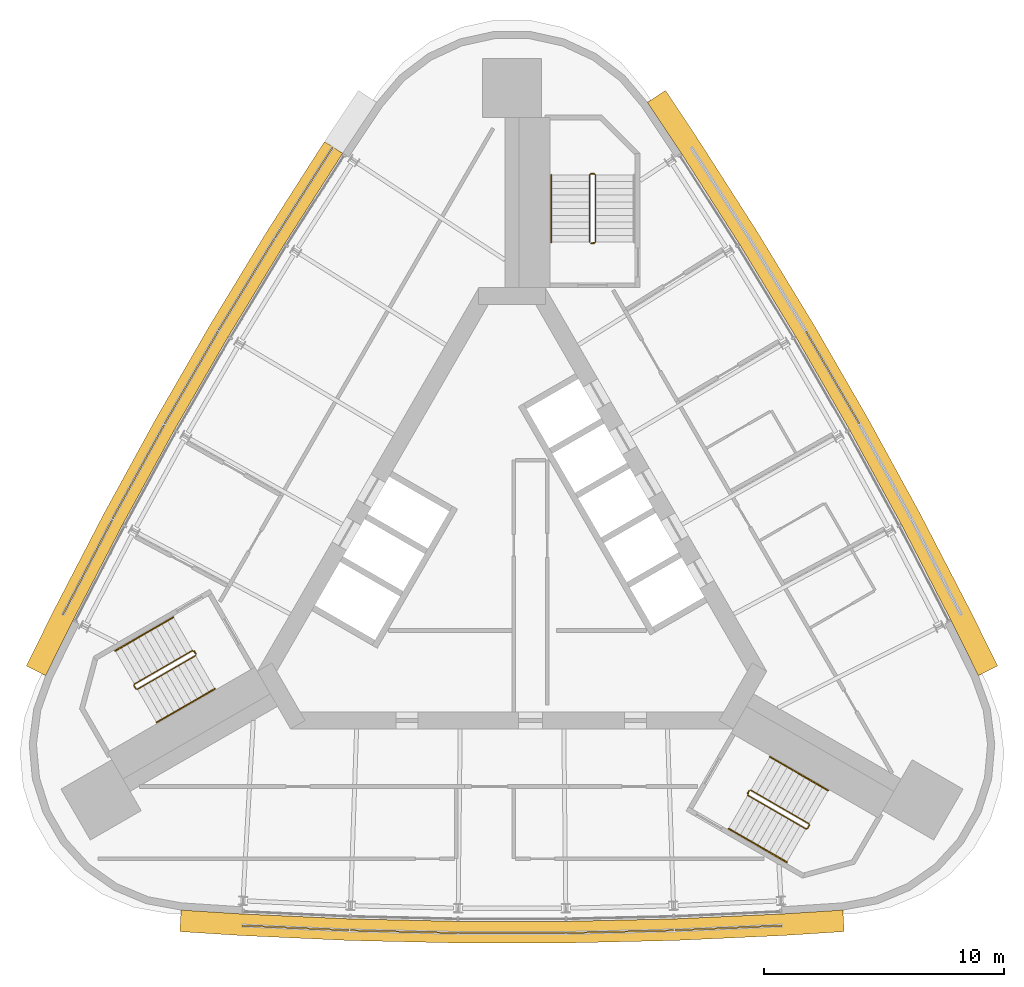
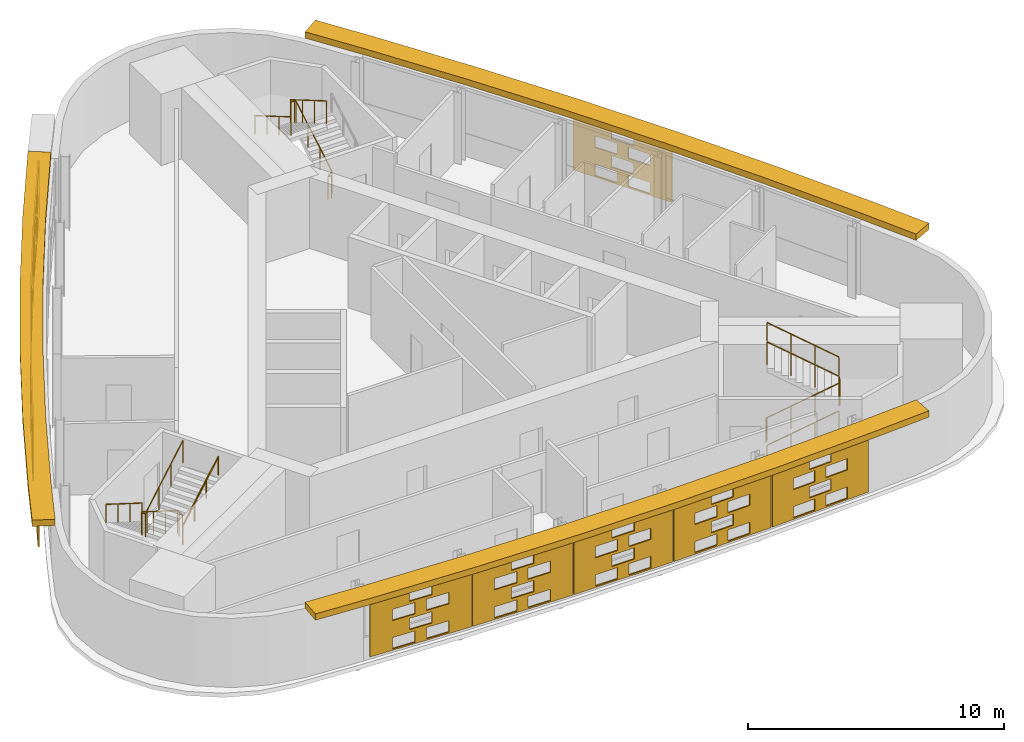
# One storey, part 9 of 10: 14 shading devices, 8 railings.
"""IFC4 building model written with IfcOpenShell, lengths in metres."""

from ifc_helpers import new_model, si_unit, direction, frame, origin, origin_2d, place, context, subcontext, project, spatial, polyline, circle, outline, extrude, material, material_profile, profile_set, type_object, element, save


model = new_model("IFC4")

# Units and contexts
model_context = context("Model", 3, precision=1e-05, world=origin(), true_north=direction((0.0, 1.0)))
body_context = subcontext(model_context, "Body", "Model", "MODEL_VIEW")
ifc_project = project(units=[si_unit("LENGTHUNIT", "METRE"), si_unit("AREAUNIT", "SQUARE_METRE"), si_unit("VOLUMEUNIT", "CUBIC_METRE"), si_unit("PLANEANGLEUNIT", "RADIAN"), si_unit("MASSUNIT", "GRAM", prefix="KILO")], contexts=[model_context])

# Site, building, storey
site_placement = place(None, origin())
site = spatial("IfcSite", under=ifc_project, at=site_placement, CompositionType="ELEMENT")
building_placement = place(site_placement, origin())
building = spatial("IfcBuilding", under=site, at=building_placement, Name="Noor Cloister Tower", CompositionType="ELEMENT")
storey_placement = place(building_placement, frame((0.0, 0.0, 240.0)))
storey = spatial("IfcBuildingStorey", under=building, at=storey_placement, Name="L62", CompositionType="ELEMENT", Elevation=240.0)

# Shading devices
ifc_material_1 = material(Name="Limestone", Category="masonry")
ifc_material_profile = material_profile(ifc_material_1, outline(polyline([(-2.22998046875, -1.35009765625), (2.22998046875, -1.35009765625), (2.22998046875, 1.35009765625), (-2.22998046875, 1.35009765625), (-2.22998046875, -1.35009765625)]), holes=[polyline([(-1.25, -1.282470703125), (-0.25, -1.282470703125), (-0.25, -0.742431640625), (-1.25, -0.742431640625), (-1.25, -1.282470703125)]), polyline([(0.25, -1.282470703125), (1.25, -1.282470703125), (1.25, -0.742431640625), (0.25, -0.742431640625), (0.25, -1.282470703125)]), polyline([(-0.5, -0.607421875), (0.5, -0.607421875), (0.5, -0.0673828125), (-0.5, -0.0673828125), (-0.5, -0.607421875)]), polyline([(-1.25, 0.0673828125), (-0.25, 0.0673828125), (-0.25, 0.607421875), (-1.25, 0.607421875), (-1.25, 0.0673828125)]), polyline([(0.25, 0.0673828125), (1.25, 0.0673828125), (1.25, 0.607421875), (0.25, 0.607421875), (0.25, 0.0673828125)]), polyline([(-0.5, 0.742431640625), (0.5, 0.742431640625), (0.5, 1.282470703125), (-0.5, 1.282470703125), (-0.5, 0.742431640625)])]), Name="Woven screen 35 percent open")
ifc_profile_set = profile_set([ifc_material_profile], Name="Limestone")
shading_device_type_1 = type_object("IfcShadingDeviceType", Name="SCREEN woven limestone 35 percent open", PredefinedType="USERDEFINED", material=ifc_profile_set)
for number, where, z_axis, x_axis, name in (
    (1, (-8.649169921875, 15.405517578125, 1.85009765625), (-0.8431579539, 0.537665941617, 0.0), (-0.537665941617, -0.8431579539, 0.0), "SCREEN L62 1"),
    (2, (-11.037109375, 11.57958984375, 1.85009765625), (-0.853884327381, 0.520462828118, 0.0), (-0.520462828118, -0.853884327381, 0.0), "SCREEN L62 2"),
    (3, (-13.336669921875, 7.699951171875, 1.85009765625), (-0.865982457891, 0.500074377092, 0.0), (-0.500074377092, -0.865982457891, 0.0), "SCREEN L62 3"),
):
    element("IfcShadingDevice", number, at=place(storey_placement, frame(where, z_axis=z_axis, x_axis=x_axis)), inside=storey, type_object=shading_device_type_1, Name=name, ObjectType="SCREEN", PredefinedType="USERDEFINED", context=body_context, shape_type="SweptSolid", body=[
        extrude(outline(polyline([(-2.22998046875, -1.35009765625), (2.22998046875, -1.35009765625), (2.22998046875, 1.35009765625), (-2.22998046875, 1.35009765625), (-2.22998046875, -1.35009765625)]), holes=[polyline([(-1.25, -1.282470703125), (-0.25, -1.282470703125), (-0.25, -0.742431640625), (-1.25, -0.742431640625), (-1.25, -1.282470703125)]), polyline([(0.25, -1.282470703125), (1.25, -1.282470703125), (1.25, -0.742431640625), (0.25, -0.742431640625), (0.25, -1.282470703125)]), polyline([(-0.5, -0.607421875), (0.5, -0.607421875), (0.5, -0.0673828125), (-0.5, -0.0673828125), (-0.5, -0.607421875)]), polyline([(-1.25, 0.0673828125), (-0.25, 0.0673828125), (-0.25, 0.607421875), (-1.25, 0.607421875), (-1.25, 0.0673828125)]), polyline([(0.25, 0.0673828125), (1.25, 0.0673828125), (1.25, 0.607421875), (0.25, 0.607421875), (0.25, 0.0673828125)]), polyline([(-0.5, 0.742431640625), (0.5, 0.742431640625), (0.5, 1.282470703125), (-0.5, 1.282470703125), (-0.5, 0.742431640625)])]), origin(), (0.0, 0.0, 1.0), 0.06005859375),
    ])
shading_device_1_placement = place(storey_placement, frame((-15.546875, 3.768798828125, 1.85009765625), z_axis=(-0.876645997325, 0.481135942718, 0.0), x_axis=(-0.481135942718, -0.876645997325, 0.0)))
element("IfcShadingDevice", 4, at=shading_device_1_placement, inside=storey, type_object=shading_device_type_1, Name="SCREEN L62 4", ObjectType="SCREEN", PredefinedType="USERDEFINED", context=body_context, shape_type="SweptSolid", body=[
    extrude(outline(polyline([(-2.22998046875, -1.35009765625), (2.22998046875, -1.35009765625), (2.22998046875, 1.35009765625), (-2.22998046875, 1.35009765625), (-2.22998046875, -1.35009765625)]), holes=[polyline([(-1.25, -1.282470703125), (-0.25, -1.282470703125), (-0.25, -0.742431640625), (-1.25, -0.742431640625), (-1.25, -1.282470703125)]), polyline([(0.25, -1.282470703125), (1.25, -1.282470703125), (1.25, -0.742431640625), (0.25, -0.742431640625), (0.25, -1.282470703125)]), polyline([(-0.5, -0.607421875), (0.5, -0.607421875), (0.5, -0.0673828125), (-0.5, -0.0673828125), (-0.5, -0.607421875)]), polyline([(-1.25, 0.0673828125), (-0.25, 0.0673828125), (-0.25, 0.607421875), (-1.25, 0.607421875), (-1.25, 0.0673828125)]), polyline([(0.25, 0.0673828125), (1.25, 0.0673828125), (1.25, 0.607421875), (0.25, 0.607421875), (0.25, 0.0673828125)]), polyline([(-0.5, 0.742431640625), (0.5, 0.742431640625), (0.5, 1.282470703125), (-0.5, 1.282470703125), (-0.5, 0.742431640625)])]), origin(), (0.0, 0.0, 1.0), 0.059814453125),
])
for number, where, z_axis, x_axis, name in (
    (5, (-17.666259765625, -0.212158203125, 1.85009765625), (-0.887816162103, 0.460198285861, 0.0), (-0.460198285861, -0.887816162103, 0.0), "SCREEN L62 5"),
    (6, (-9.016845703125, -15.193115234375, 1.85009765625), (-0.044670810456, -0.999001761106, 0.0), (0.999001761106, -0.044670810456, 0.0), "SCREEN L62 1"),
):
    element("IfcShadingDevice", number, at=place(storey_placement, frame(where, z_axis=z_axis, x_axis=x_axis)), inside=storey, type_object=shading_device_type_1, Name=name, ObjectType="SCREEN", PredefinedType="USERDEFINED", context=body_context, shape_type="SweptSolid", body=[
        extrude(outline(polyline([(-2.22998046875, -1.35009765625), (2.22998046875, -1.35009765625), (2.22998046875, 1.35009765625), (-2.22998046875, 1.35009765625), (-2.22998046875, -1.35009765625)]), holes=[polyline([(-1.25, -1.282470703125), (-0.25, -1.282470703125), (-0.25, -0.742431640625), (-1.25, -0.742431640625), (-1.25, -1.282470703125)]), polyline([(0.25, -1.282470703125), (1.25, -1.282470703125), (1.25, -0.742431640625), (0.25, -0.742431640625), (0.25, -1.282470703125)]), polyline([(-0.5, -0.607421875), (0.5, -0.607421875), (0.5, -0.0673828125), (-0.5, -0.0673828125), (-0.5, -0.607421875)]), polyline([(-1.25, 0.0673828125), (-0.25, 0.0673828125), (-0.25, 0.607421875), (-1.25, 0.607421875), (-1.25, 0.0673828125)]), polyline([(0.25, 0.0673828125), (1.25, 0.0673828125), (1.25, 0.607421875), (0.25, 0.607421875), (0.25, 0.0673828125)]), polyline([(-0.5, 0.742431640625), (0.5, 0.742431640625), (0.5, 1.282470703125), (-0.5, 1.282470703125), (-0.5, 0.742431640625)])]), origin(), (0.0, 0.0, 1.0), 0.06005859375),
    ])
shading_device_2_placement = place(storey_placement, frame((-4.509521484375, -15.348388671875, 1.85009765625), z_axis=(-0.024482455341, -0.999700259768, 0.0), x_axis=(0.999700259768, -0.024482455341, 0.0)))
element("IfcShadingDevice", 7, at=shading_device_2_placement, inside=storey, type_object=shading_device_type_1, Name="SCREEN L62 2", ObjectType="SCREEN", PredefinedType="USERDEFINED", context=body_context, shape_type="SweptSolid", body=[
    extrude(outline(polyline([(-2.22998046875, -1.35009765625), (2.22998046875, -1.35009765625), (2.22998046875, 1.35009765625), (-2.22998046875, 1.35009765625), (-2.22998046875, -1.35009765625)]), holes=[polyline([(-1.25, -1.282470703125), (-0.25, -1.282470703125), (-0.25, -0.742431640625), (-1.25, -0.742431640625), (-1.25, -1.282470703125)]), polyline([(0.25, -1.282470703125), (1.25, -1.282470703125), (1.25, -0.742431640625), (0.25, -0.742431640625), (0.25, -1.282470703125)]), polyline([(-0.5, -0.607421875), (0.5, -0.607421875), (0.5, -0.0673828125), (-0.5, -0.0673828125), (-0.5, -0.607421875)]), polyline([(-1.25, 0.0673828125), (-0.25, 0.0673828125), (-0.25, 0.607421875), (-1.25, 0.607421875), (-1.25, 0.0673828125)]), polyline([(0.25, 0.0673828125), (1.25, 0.0673828125), (1.25, 0.607421875), (0.25, 0.607421875), (0.25, 0.0673828125)]), polyline([(-0.5, 0.742431640625), (0.5, 0.742431640625), (0.5, 1.282470703125), (-0.5, 1.282470703125), (-0.5, 0.742431640625)])]), origin(), (0.0, 0.0, 1.0), 0.059814453125),
])
shading_device_3_placement = place(storey_placement, frame((0.0, -15.39990234375, 1.85009765625), z_axis=(0.0, -1.0, 0.0), x_axis=(1.0, 0.0, 0.0)))
element("IfcShadingDevice", 8, at=shading_device_3_placement, inside=storey, type_object=shading_device_type_1, Name="SCREEN L62 3", ObjectType="SCREEN", PredefinedType="USERDEFINED", context=body_context, shape_type="SweptSolid", body=[
    extrude(outline(polyline([(-2.22998046875, -1.35009765625), (2.22998046875, -1.35009765625), (2.22998046875, 1.35009765625), (-2.22998046875, 1.35009765625), (-2.22998046875, -1.35009765625)]), holes=[polyline([(-1.25, -1.282470703125), (-0.25, -1.282470703125), (-0.25, -0.742431640625), (-1.25, -0.742431640625), (-1.25, -1.282470703125)]), polyline([(0.25, -1.282470703125), (1.25, -1.282470703125), (1.25, -0.742431640625), (0.25, -0.742431640625), (0.25, -1.282470703125)]), polyline([(-0.5, -0.607421875), (0.5, -0.607421875), (0.5, -0.0673828125), (-0.5, -0.0673828125), (-0.5, -0.607421875)]), polyline([(-1.25, 0.0673828125), (-0.25, 0.0673828125), (-0.25, 0.607421875), (-1.25, 0.607421875), (-1.25, 0.0673828125)]), polyline([(0.25, 0.0673828125), (1.25, 0.0673828125), (1.25, 0.607421875), (0.25, 0.607421875), (0.25, 0.0673828125)]), polyline([(-0.5, 0.742431640625), (0.5, 0.742431640625), (0.5, 1.282470703125), (-0.5, 1.282470703125), (-0.5, 0.742431640625)])]), origin(), (0.0, 0.0, 1.0), 0.06005859375),
])
shading_device_4_placement = place(storey_placement, frame((4.509521484375, -15.348388671875, 1.85009765625), z_axis=(0.024482455341, -0.999700259768, 0.0), x_axis=(0.999700259768, 0.024482455341, 0.0)))
element("IfcShadingDevice", 9, at=shading_device_4_placement, inside=storey, type_object=shading_device_type_1, Name="SCREEN L62 4", ObjectType="SCREEN", PredefinedType="USERDEFINED", context=body_context, shape_type="SweptSolid", body=[
    extrude(outline(polyline([(-2.22998046875, -1.35009765625), (2.22998046875, -1.35009765625), (2.22998046875, 1.35009765625), (-2.22998046875, 1.35009765625), (-2.22998046875, -1.35009765625)]), holes=[polyline([(-1.25, -1.282470703125), (-0.25, -1.282470703125), (-0.25, -0.742431640625), (-1.25, -0.742431640625), (-1.25, -1.282470703125)]), polyline([(0.25, -1.282470703125), (1.25, -1.282470703125), (1.25, -0.742431640625), (0.25, -0.742431640625), (0.25, -1.282470703125)]), polyline([(-0.5, -0.607421875), (0.5, -0.607421875), (0.5, -0.0673828125), (-0.5, -0.0673828125), (-0.5, -0.607421875)]), polyline([(-1.25, 0.0673828125), (-0.25, 0.0673828125), (-0.25, 0.607421875), (-1.25, 0.607421875), (-1.25, 0.0673828125)]), polyline([(0.25, 0.0673828125), (1.25, 0.0673828125), (1.25, 0.607421875), (0.25, 0.607421875), (0.25, 0.0673828125)]), polyline([(-0.5, 0.742431640625), (0.5, 0.742431640625), (0.5, 1.282470703125), (-0.5, 1.282470703125), (-0.5, 0.742431640625)])]), origin(), (0.0, 0.0, 1.0), 0.059814453125),
])
for number, where, z_axis, x_axis, name in (
    (10, (9.016845703125, -15.193115234375, 1.85009765625), (0.044670810456, -0.999001761106, 0.0), (0.999001761106, 0.044670810456, 0.0), "SCREEN L62 5"),
    (11, (13.336669921875, 7.699951171875, 1.85009765625), (0.865982457891, 0.500074377092, 0.0), (-0.500074377092, 0.865982457891, 0.0), "SCREEN L62 3"),
):
    element("IfcShadingDevice", number, at=place(storey_placement, frame(where, z_axis=z_axis, x_axis=x_axis)), inside=storey, type_object=shading_device_type_1, Name=name, ObjectType="SCREEN", PredefinedType="USERDEFINED", context=body_context, shape_type="SweptSolid", body=[
        extrude(outline(polyline([(-2.22998046875, -1.35009765625), (2.22998046875, -1.35009765625), (2.22998046875, 1.35009765625), (-2.22998046875, 1.35009765625), (-2.22998046875, -1.35009765625)]), holes=[polyline([(-1.25, -1.282470703125), (-0.25, -1.282470703125), (-0.25, -0.742431640625), (-1.25, -0.742431640625), (-1.25, -1.282470703125)]), polyline([(0.25, -1.282470703125), (1.25, -1.282470703125), (1.25, -0.742431640625), (0.25, -0.742431640625), (0.25, -1.282470703125)]), polyline([(-0.5, -0.607421875), (0.5, -0.607421875), (0.5, -0.0673828125), (-0.5, -0.0673828125), (-0.5, -0.607421875)]), polyline([(-1.25, 0.0673828125), (-0.25, 0.0673828125), (-0.25, 0.607421875), (-1.25, 0.607421875), (-1.25, 0.0673828125)]), polyline([(0.25, 0.0673828125), (1.25, 0.0673828125), (1.25, 0.607421875), (0.25, 0.607421875), (0.25, 0.0673828125)]), polyline([(-0.5, 0.742431640625), (0.5, 0.742431640625), (0.5, 1.282470703125), (-0.5, 1.282470703125), (-0.5, 0.742431640625)])]), origin(), (0.0, 0.0, 1.0), 0.06005859375),
    ])
ifc_material_2 = material(Name="Limestone", Category="masonry")
shading_device_type_2 = type_object("IfcShadingDeviceType", Name="SUNSHADE limestone band 900", PredefinedType="USERDEFINED", material=ifc_material_2)
shading_device_5_placement = place(storey_placement, frame((0.0, 0.0, 3.300048828125)))
element("IfcShadingDevice", 12, at=shading_device_5_placement, inside=storey, type_object=shading_device_type_2, Name="SUNSHADE L62 1", ObjectType="SUNSHADE", PredefinedType="USERDEFINED", context=body_context, shape_type="SweptSolid", body=[
    extrude(outline(polyline([(-7.815185546875, 17.54296875), (-10.246826171875, 13.744384765625), (-12.596435546875, 9.88232421875), (-14.856689453125, 5.967529296875), (-17.026611328125, 2.001953125), (-19.10400390625, -2.010498046875), (-20.2392578125, -4.30322265625), (-19.4326171875, -4.702392578125), (-18.301025390625, -2.417236328125), (-16.232177734375, 1.578857421875), (-14.072021484375, 5.5263671875), (-11.822021484375, 9.423583984375), (-9.4833984375, 13.267822265625), (-7.05712890625, 17.0576171875), (-7.815185546875, 17.54296875)])), origin(), (0.0, 0.0, 1.0), 0.300048828125),
])
shading_device_6_placement = place(storey_placement, frame((0.0, 0.0, 3.300048828125)))
element("IfcShadingDevice", 13, at=shading_device_6_placement, inside=storey, type_object=shading_device_type_2, Name="SUNSHADE L62 2", ObjectType="SUNSHADE", PredefinedType="USERDEFINED", context=body_context, shape_type="SweptSolid", body=[
    extrude(outline(polyline([(-13.84619140625, -15.376220703125), (-11.293212890625, -15.539306640625), (-6.779541015625, -15.746337890625), (-2.26025390625, -15.85009765625), (2.26025390625, -15.85009765625), (6.779541015625, -15.746337890625), (11.293212890625, -15.539306640625), (13.84619140625, -15.376220703125), (13.788818359375, -14.47802734375), (11.243896484375, -14.640625), (6.748779296875, -14.846923828125), (2.25, -14.949951171875), (-2.25, -14.949951171875), (-6.748779296875, -14.846923828125), (-11.243896484375, -14.640625), (-13.788818359375, -14.47802734375), (-13.84619140625, -15.376220703125)])), origin(), (0.0, 0.0, 1.0), 0.300048828125),
])
shading_device_7_placement = place(storey_placement, frame((0.0, 0.0, 3.300048828125)))
element("IfcShadingDevice", 14, at=shading_device_7_placement, inside=storey, type_object=shading_device_type_2, Name="SUNSHADE L62 3", ObjectType="SUNSHADE", PredefinedType="USERDEFINED", context=body_context, shape_type="SweptSolid", body=[
    extrude(outline(polyline([(20.2392578125, -4.30322265625), (19.10400390625, -2.010498046875), (17.026611328125, 2.001953125), (14.856689453125, 5.967529296875), (12.596435546875, 9.88232421875), (10.246826171875, 13.744384765625), (7.810791015625, 17.5498046875), (6.39306640625, 19.67919921875), (5.643798828125, 19.180419921875), (7.05712890625, 17.0576171875), (9.4833984375, 13.267822265625), (11.822021484375, 9.423583984375), (14.072021484375, 5.5263671875), (16.232177734375, 1.578857421875), (18.301025390625, -2.417236328125), (19.4326171875, -4.702392578125), (20.2392578125, -4.30322265625)])), origin(), (0.0, 0.0, 1.0), 0.300048828125),
])

# Railings
ifc_material_3 = material(Name="Stainless steel", Category="steel")
railing_type_1 = type_object("IfcRailingType", Name="Stair guard 1100", PredefinedType="GUARDRAIL", material=ifc_material_3)
railing_1_placement = place(storey_placement, frame((3.435546875, 13.306396484375, 0.0)))
element("IfcRailing", 15, at=railing_1_placement, inside=storey, type_object=railing_type_1, Name="Stair guard ST1 L62", PredefinedType="GUARDRAIL", context=body_context, shape_type="SweptSolid", body=[
    extrude(circle(Radius=0.02392578125, at=origin_2d()), frame((0.0, 0.0, 1.076171875), z_axis=(-1.0, 0.0, 0.0), x_axis=(0.0, -1.0, 0.0)), (0.0, 0.0, 1.0), 0.14990234375),
    extrude(circle(Radius=0.02392578125, at=origin_2d()), frame((-0.14990234375, 0.0, 1.076171875), z_axis=(0.759870394187, 0.190199549216, 0.621627795), x_axis=(-0.242814311512, 0.970072785993, 0.0)), (0.0, 0.0, 1.0), 0.26318359375),
    extrude(circle(Radius=0.02392578125, at=origin_2d()), frame((0.050048828125, 0.050048828125, 1.23974609375), z_axis=(0.0, 0.863360870873, 0.504586966384), x_axis=(-1.0, 0.0, 0.0)), (0.0, 0.0, 1.0), 3.2431640625),
    extrude(circle(Radius=0.02392578125, at=origin_2d()), frame((0.050048828125, 2.85009765625, 2.8759765625), z_axis=(-0.708833529934, 0.705375805398, 0.0), x_axis=(-0.705375805398, -0.708833529934, 0.0)), (0.0, 0.0, 1.0), 0.070556640625),
    extrude(circle(Radius=0.02392578125, at=origin_2d()), frame((0.0, 2.89990234375, 2.8759765625), z_axis=(-1.0, 0.0, 0.0), x_axis=(0.0, -1.0, 0.0)), (0.0, 0.0, 1.0), 0.14990234375),
    extrude(circle(Radius=0.02392578125, at=origin_2d()), frame((-0.14990234375, 2.89990234375, 2.8759765625), z_axis=(-0.280916556609, -0.279546231943, 0.91811752648), x_axis=(0.705375805398, -0.708833529934, 0.0)), (0.0, 0.0, 1.0), 0.17822265625),
    extrude(circle(Radius=0.02392578125, at=origin_2d()), frame((-0.199951171875, 2.85009765625, 3.03955078125), z_axis=(0.0, -0.863360870873, 0.504586966384), x_axis=(1.0, 0.0, 0.0)), (0.0, 0.0, 1.0), 3.2431640625),
    extrude(circle(Radius=0.02099609375, at=origin_2d()), origin(), (0.0, 0.0, 1.0), 1.052001953125),
    extrude(circle(Radius=0.02099609375, at=origin_2d()), frame((-0.14990234375, 0.0, 0.0)), (0.0, 0.0, 1.0), 1.052001953125),
    extrude(circle(Radius=0.02099609375, at=origin_2d()), frame((0.050048828125, 0.050048828125, 0.16357421875)), (0.0, 0.0, 1.0), 1.052001953125),
    extrude(circle(Radius=0.02099609375, at=origin_2d()), frame((0.050048828125, 0.9833984375, 0.708984375)), (0.0, 0.0, 1.0), 1.052001953125),
    extrude(circle(Radius=0.02099609375, at=origin_2d()), frame((0.050048828125, 1.916748046875, 1.254638671875)), (0.0, 0.0, 1.0), 1.052001953125),
    extrude(circle(Radius=0.02099609375, at=origin_2d()), frame((0.050048828125, 2.85009765625, 1.800048828125)), (0.0, 0.0, 1.0), 1.052001953125),
    extrude(circle(Radius=0.02099609375, at=origin_2d()), frame((0.0, 2.89990234375, 1.800048828125)), (0.0, 0.0, 1.0), 1.052001953125),
    extrude(circle(Radius=0.02099609375, at=origin_2d()), frame((-0.14990234375, 2.89990234375, 1.800048828125)), (0.0, 0.0, 1.0), 1.052001953125),
    extrude(circle(Radius=0.02099609375, at=origin_2d()), frame((-0.199951171875, 2.85009765625, 1.963623046875)), (0.0, 0.0, 1.0), 1.052001953125),
    extrude(circle(Radius=0.02099609375, at=origin_2d()), frame((-0.199951171875, 1.916748046875, 2.509033203125)), (0.0, 0.0, 1.0), 1.052001953125),
    extrude(circle(Radius=0.02099609375, at=origin_2d()), frame((-0.199951171875, 0.9833984375, 3.0546875)), (0.0, 0.0, 1.0), 1.052001953125),
    extrude(circle(Radius=0.02099609375, at=origin_2d()), frame((-0.199951171875, 0.050048828125, 3.60009765625)), (0.0, 0.0, 1.0), 1.052001953125),
])
railing_2_placement = place(storey_placement, frame((-13.241455078125, -3.677734375, 0.0)))
element("IfcRailing", 16, at=railing_2_placement, inside=storey, type_object=railing_type_1, Name="Stair guard ST2 L62", PredefinedType="GUARDRAIL", context=body_context, shape_type="SweptSolid", body=[
    extrude(circle(Radius=0.02392578125, at=origin_2d()), frame((0.0, 0.0, 1.076171875), z_axis=(0.499112439033, -0.866537231285, 0.0), x_axis=(0.866537231285, 0.499112439033, 0.0)), (0.0, 0.0, 1.0), 0.150146484375),
    extrude(circle(Radius=0.02392578125, at=origin_2d()), frame((0.074951171875, -0.130126953125, 1.076171875), z_axis=(-0.544565797804, 0.563119998752, 0.621565731736), x_axis=(-0.718850276695, -0.695164929852, 0.0)), (0.0, 0.0, 1.0), 0.26318359375),
    extrude(circle(Radius=0.02392578125, at=origin_2d()), frame((-0.068359375, 0.01806640625, 1.23974609375), z_axis=(-0.747689811644, -0.431660630283, 0.504607813879), x_axis=(0.49998411664, -0.866034573852, 0.0)), (0.0, 0.0, 1.0), 3.2431640625),
    extrude(circle(Radius=0.02392578125, at=origin_2d()), frame((-2.4931640625, -1.3818359375, 2.8759765625), z_axis=(-0.258736085224, -0.965948051503, 0.0), x_axis=(0.965948051503, -0.258736085224, 0.0)), (0.0, 0.0, 1.0), 0.07080078125),
    extrude(circle(Radius=0.02392578125, at=origin_2d()), frame((-2.511474609375, -1.4501953125, 2.8759765625), z_axis=(0.499816412211, -0.866131372301, 0.0), x_axis=(0.866131372301, 0.499816412211, 0.0)), (0.0, 0.0, 1.0), 0.14990234375),
    extrude(circle(Radius=0.02392578125, at=origin_2d()), frame((-2.4365234375, -1.580078125, 2.8759765625), z_axis=(0.383552647116, -0.102737316192, 0.917786691313), x_axis=(0.258736085224, 0.965948051503, 0.0)), (0.0, 0.0, 1.0), 0.17822265625),
    extrude(circle(Radius=0.02392578125, at=origin_2d()), frame((-2.3681640625, -1.598388671875, 3.03955078125), z_axis=(0.747665513933, 0.431721881032, 0.504591415616), x_axis=(-0.500049511043, 0.865996816683, 0.0)), (0.0, 0.0, 1.0), 3.2431640625),
    extrude(circle(Radius=0.02099609375, at=origin_2d()), origin(), (0.0, 0.0, 1.0), 1.052001953125),
    extrude(circle(Radius=0.02099609375, at=origin_2d()), frame((0.074951171875, -0.130126953125, 0.0)), (0.0, 0.0, 1.0), 1.052001953125),
    extrude(circle(Radius=0.02099609375, at=origin_2d()), frame((-0.068359375, 0.01806640625, 0.16357421875)), (0.0, 0.0, 1.0), 1.052001953125),
    extrude(circle(Radius=0.02099609375, at=origin_2d()), frame((-0.876708984375, -0.448486328125, 0.708984375)), (0.0, 0.0, 1.0), 1.052001953125),
    extrude(circle(Radius=0.02099609375, at=origin_2d()), frame((-1.684814453125, -0.915283203125, 1.254638671875)), (0.0, 0.0, 1.0), 1.052001953125),
    extrude(circle(Radius=0.02099609375, at=origin_2d()), frame((-2.4931640625, -1.3818359375, 1.800048828125)), (0.0, 0.0, 1.0), 1.052001953125),
    extrude(circle(Radius=0.02099609375, at=origin_2d()), frame((-2.511474609375, -1.4501953125, 1.800048828125)), (0.0, 0.0, 1.0), 1.052001953125),
    extrude(circle(Radius=0.02099609375, at=origin_2d()), frame((-2.4365234375, -1.580078125, 1.800048828125)), (0.0, 0.0, 1.0), 1.052001953125),
    extrude(circle(Radius=0.02099609375, at=origin_2d()), frame((-2.3681640625, -1.598388671875, 1.963623046875)), (0.0, 0.0, 1.0), 1.052001953125),
    extrude(circle(Radius=0.02099609375, at=origin_2d()), frame((-1.559814453125, -1.131591796875, 2.509033203125)), (0.0, 0.0, 1.0), 1.052001953125),
    extrude(circle(Radius=0.02099609375, at=origin_2d()), frame((-0.751708984375, -0.6650390625, 3.0546875)), (0.0, 0.0, 1.0), 1.052001953125),
    extrude(circle(Radius=0.02099609375, at=origin_2d()), frame((0.056640625, -0.1982421875, 3.60009765625)), (0.0, 0.0, 1.0), 1.052001953125),
])
railing_3_placement = place(storey_placement, frame((9.805908203125, -9.628662109375, 0.0)))
element("IfcRailing", 17, at=railing_3_placement, inside=storey, type_object=railing_type_1, Name="Stair guard ST3 L62", PredefinedType="GUARDRAIL", context=body_context, shape_type="SweptSolid", body=[
    extrude(circle(Radius=0.02392578125, at=origin_2d()), frame((0.0, 0.0, 1.076171875), z_axis=(0.499112439033, 0.866537231285, 0.0), x_axis=(-0.866537231285, 0.499112439033, 0.0)), (0.0, 0.0, 1.0), 0.150146484375),
    extrude(circle(Radius=0.02392578125, at=origin_2d()), frame((0.074951171875, 0.130126953125, 1.076171875), z_axis=(-0.215214839654, -0.753251938789, 0.621525614518), x_axis=(0.961523947641, -0.274721127897, 0.0)), (0.0, 0.0, 1.0), 0.26318359375),
    extrude(circle(Radius=0.02392578125, at=origin_2d()), frame((0.018310546875, -0.068115234375, 1.23974609375), z_axis=(0.747665513933, -0.431721881032, 0.504591415616), x_axis=(0.500049511043, 0.865996816683, 0.0)), (0.0, 0.0, 1.0), 3.2431640625),
    extrude(circle(Radius=0.02392578125, at=origin_2d()), frame((2.443115234375, -1.46826171875, 2.8759765625), z_axis=(0.965948051503, 0.258736085224, 0.0), x_axis=(-0.258736085224, 0.965948051503, 0.0)), (0.0, 0.0, 1.0), 0.07080078125),
    extrude(circle(Radius=0.02392578125, at=origin_2d()), frame((2.511474609375, -1.449951171875, 2.8759765625), z_axis=(0.499816412211, 0.866131372301, 0.0), x_axis=(-0.866131372301, 0.499816412211, 0.0)), (0.0, 0.0, 1.0), 0.14990234375),
    extrude(circle(Radius=0.02392578125, at=origin_2d()), frame((2.58642578125, -1.320068359375, 2.8759765625), z_axis=(-0.102737316192, 0.383552647116, 0.917786691313), x_axis=(-0.965948051503, -0.258736085224, 0.0)), (0.0, 0.0, 1.0), 0.17822265625),
    extrude(circle(Radius=0.02392578125, at=origin_2d()), frame((2.568115234375, -1.251708984375, 3.03955078125), z_axis=(-0.747689811644, 0.431660630283, 0.504607813879), x_axis=(-0.49998411664, -0.866034573852, 0.0)), (0.0, 0.0, 1.0), 3.2431640625),
    extrude(circle(Radius=0.02099609375, at=origin_2d()), origin(), (0.0, 0.0, 1.0), 1.052001953125),
    extrude(circle(Radius=0.02099609375, at=origin_2d()), frame((0.074951171875, 0.130126953125, 0.0)), (0.0, 0.0, 1.0), 1.052001953125),
    extrude(circle(Radius=0.02099609375, at=origin_2d()), frame((0.018310546875, -0.068115234375, 0.16357421875)), (0.0, 0.0, 1.0), 1.052001953125),
    extrude(circle(Radius=0.02099609375, at=origin_2d()), frame((0.82666015625, -0.534912109375, 0.708984375)), (0.0, 0.0, 1.0), 1.052001953125),
    extrude(circle(Radius=0.02099609375, at=origin_2d()), frame((1.634765625, -1.00146484375, 1.254638671875)), (0.0, 0.0, 1.0), 1.052001953125),
    extrude(circle(Radius=0.02099609375, at=origin_2d()), frame((2.443115234375, -1.46826171875, 1.800048828125)), (0.0, 0.0, 1.0), 1.052001953125),
    extrude(circle(Radius=0.02099609375, at=origin_2d()), frame((2.511474609375, -1.449951171875, 1.800048828125)), (0.0, 0.0, 1.0), 1.052001953125),
    extrude(circle(Radius=0.02099609375, at=origin_2d()), frame((2.58642578125, -1.320068359375, 1.800048828125)), (0.0, 0.0, 1.0), 1.052001953125),
    extrude(circle(Radius=0.02099609375, at=origin_2d()), frame((2.568115234375, -1.251708984375, 1.963623046875)), (0.0, 0.0, 1.0), 1.052001953125),
    extrude(circle(Radius=0.02099609375, at=origin_2d()), frame((1.759765625, -0.78515625, 2.509033203125)), (0.0, 0.0, 1.0), 1.052001953125),
    extrude(circle(Radius=0.02099609375, at=origin_2d()), frame((0.95166015625, -0.318359375, 3.0546875)), (0.0, 0.0, 1.0), 1.052001953125),
    extrude(circle(Radius=0.02099609375, at=origin_2d()), frame((0.143310546875, 0.148193359375, 3.60009765625)), (0.0, 0.0, 1.0), 1.052001953125),
])
ifc_material_4 = material(Name="Stainless steel", Category="steel")
railing_type_2 = type_object("IfcRailingType", Name="Stair handrail 900", PredefinedType="HANDRAIL", material=ifc_material_4)
railing_4_placement = place(storey_placement, frame((1.6357421875, 16.156494140625, 1.963623046875)))
element("IfcRailing", 18, at=railing_4_placement, inside=storey, type_object=railing_type_2, Name="Stair handrail ST1 L62 2", PredefinedType="HANDRAIL", context=body_context, shape_type="SweptSolid", body=[
    extrude(circle(Radius=0.02392578125, at=origin_2d()), frame((0.0, 0.0, 0.8759765625), z_axis=(0.0, -0.863360870873, 0.504586966384), x_axis=(1.0, 0.0, 0.0)), (0.0, 0.0, 1.0), 3.2431640625),
    extrude(circle(Radius=0.02099609375, at=origin_2d()), origin(), (0.0, 0.0, 1.0), 0.851806640625),
    extrude(circle(Radius=0.02099609375, at=origin_2d()), frame((0.0, -0.933349609375, 0.54541015625)), (0.0, 0.0, 1.0), 0.851806640625),
    extrude(circle(Radius=0.02099609375, at=origin_2d()), frame((0.0, -1.86669921875, 1.091064453125)), (0.0, 0.0, 1.0), 0.851806640625),
    extrude(circle(Radius=0.02099609375, at=origin_2d()), frame((0.0, -2.800048828125, 1.636474609375)), (0.0, 0.0, 1.0), 0.851806640625),
])
railing_5_placement = place(storey_placement, frame((-14.10986328125, -2.27392578125, 0.16357421875)))
element("IfcRailing", 19, at=railing_5_placement, inside=storey, type_object=railing_type_2, Name="Stair handrail ST2 L62 1", PredefinedType="HANDRAIL", context=body_context, shape_type="SweptSolid", body=[
    extrude(circle(Radius=0.02392578125, at=origin_2d()), frame((0.0, 0.0, 0.8759765625), z_axis=(-0.747689811644, -0.431660630283, 0.504607813879), x_axis=(0.49998411664, -0.866034573852, 0.0)), (0.0, 0.0, 1.0), 3.2431640625),
    extrude(circle(Radius=0.02099609375, at=origin_2d()), origin(), (0.0, 0.0, 1.0), 0.851806640625),
    extrude(circle(Radius=0.02099609375, at=origin_2d()), frame((-0.808349609375, -0.466552734375, 0.54541015625)), (0.0, 0.0, 1.0), 0.851806640625),
    extrude(circle(Radius=0.02099609375, at=origin_2d()), frame((-1.616455078125, -0.933349609375, 1.091064453125)), (0.0, 0.0, 1.0), 0.851806640625),
    extrude(circle(Radius=0.02099609375, at=origin_2d()), frame((-2.4248046875, -1.39990234375, 1.636474609375)), (0.0, 0.0, 1.0), 0.851806640625),
])
railing_6_placement = place(storey_placement, frame((-14.8095703125, -6.66162109375, 1.963623046875)))
element("IfcRailing", 20, at=railing_6_placement, inside=storey, type_object=railing_type_2, Name="Stair handrail ST2 L62 2", PredefinedType="HANDRAIL", context=body_context, shape_type="SweptSolid", body=[
    extrude(circle(Radius=0.02392578125, at=origin_2d()), frame((0.0, 0.0, 0.8759765625), z_axis=(0.747689811644, 0.431660630283, 0.504607813879), x_axis=(-0.49998411664, 0.866034573852, 0.0)), (0.0, 0.0, 1.0), 3.2431640625),
    extrude(circle(Radius=0.02099609375, at=origin_2d()), origin(), (0.0, 0.0, 1.0), 0.851806640625),
    extrude(circle(Radius=0.02099609375, at=origin_2d()), frame((0.808349609375, 0.466552734375, 0.54541015625)), (0.0, 0.0, 1.0), 0.851806640625),
    extrude(circle(Radius=0.02099609375, at=origin_2d()), frame((1.616455078125, 0.933349609375, 1.091064453125)), (0.0, 0.0, 1.0), 0.851806640625),
    extrude(circle(Radius=0.02099609375, at=origin_2d()), frame((2.4248046875, 1.39990234375, 1.636474609375)), (0.0, 0.0, 1.0), 0.851806640625),
])
railing_7_placement = place(storey_placement, frame((9.024169921875, -11.08251953125, 0.16357421875)))
element("IfcRailing", 21, at=railing_7_placement, inside=storey, type_object=railing_type_2, Name="Stair handrail ST3 L62 1", PredefinedType="HANDRAIL", context=body_context, shape_type="SweptSolid", body=[
    extrude(circle(Radius=0.02392578125, at=origin_2d()), frame((0.0, 0.0, 0.8759765625), z_axis=(0.747689811644, -0.431660630283, 0.504607813879), x_axis=(0.49998411664, 0.866034573852, 0.0)), (0.0, 0.0, 1.0), 3.2431640625),
    extrude(circle(Radius=0.02099609375, at=origin_2d()), origin(), (0.0, 0.0, 1.0), 0.851806640625),
    extrude(circle(Radius=0.02099609375, at=origin_2d()), frame((0.808349609375, -0.466552734375, 0.54541015625)), (0.0, 0.0, 1.0), 0.851806640625),
    extrude(circle(Radius=0.02099609375, at=origin_2d()), frame((1.616455078125, -0.933349609375, 1.091064453125)), (0.0, 0.0, 1.0), 0.851806640625),
    extrude(circle(Radius=0.02099609375, at=origin_2d()), frame((2.4248046875, -1.39990234375, 1.636474609375)), (0.0, 0.0, 1.0), 0.851806640625),
])
railing_8_placement = place(storey_placement, frame((13.174072265625, -9.49462890625, 1.963623046875)))
element("IfcRailing", 22, at=railing_8_placement, inside=storey, type_object=railing_type_2, Name="Stair handrail ST3 L62 2", PredefinedType="HANDRAIL", context=body_context, shape_type="SweptSolid", body=[
    extrude(circle(Radius=0.02392578125, at=origin_2d()), frame((0.0, 0.0, 0.8759765625), z_axis=(-0.747689811644, 0.431660630283, 0.504607813879), x_axis=(-0.49998411664, -0.866034573852, 0.0)), (0.0, 0.0, 1.0), 3.2431640625),
    extrude(circle(Radius=0.02099609375, at=origin_2d()), origin(), (0.0, 0.0, 1.0), 0.851806640625),
    extrude(circle(Radius=0.02099609375, at=origin_2d()), frame((-0.808349609375, 0.466552734375, 0.54541015625)), (0.0, 0.0, 1.0), 0.851806640625),
    extrude(circle(Radius=0.02099609375, at=origin_2d()), frame((-1.616455078125, 0.933349609375, 1.091064453125)), (0.0, 0.0, 1.0), 0.851806640625),
    extrude(circle(Radius=0.02099609375, at=origin_2d()), frame((-2.4248046875, 1.39990234375, 1.636474609375)), (0.0, 0.0, 1.0), 0.851806640625),
])

save(model, "model.ifc")
